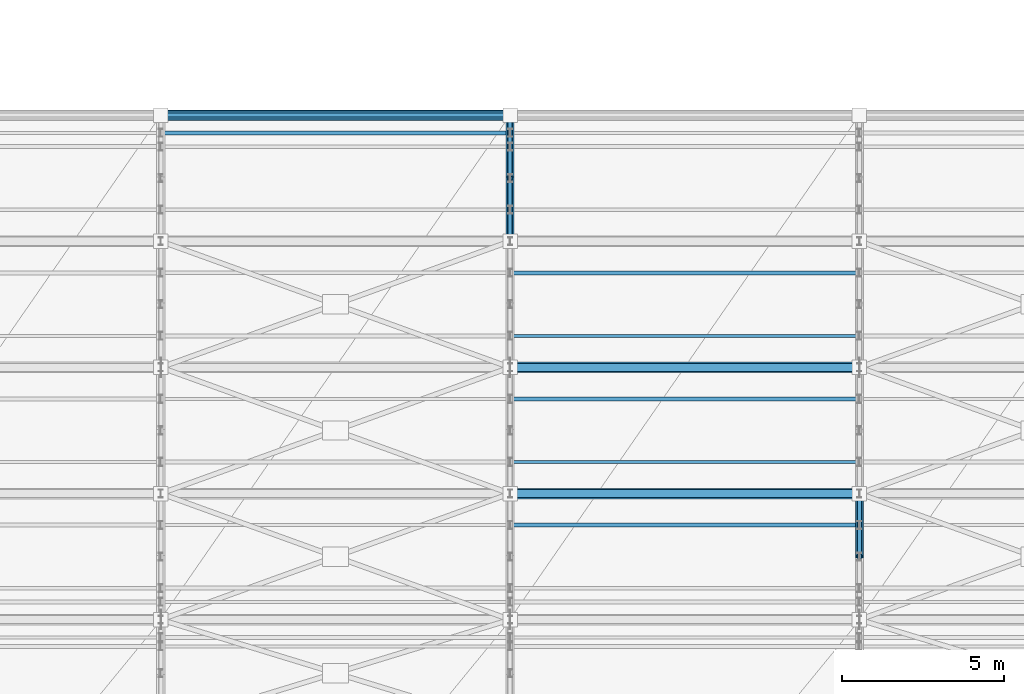
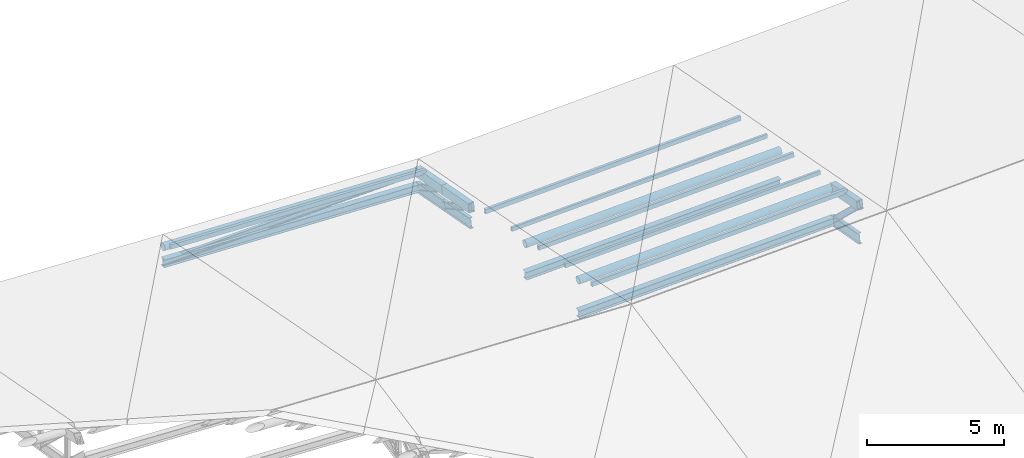
# One storey, part 23 of 89: 16 members, 6 beams.
"""IFC4 building model written with IfcOpenShell, lengths in metres."""

from ifc_helpers import new_model, si_unit, direction, frame, origin, origin_2d, place, context, subcontext, project, spatial, hollow_rectangle, hollow_circle, i_section, extrude, material, material_profile, profile_set, type_object, element, save


model = new_model("IFC4")

# Units and contexts
model_context = context("Model", 3, precision=1e-05, world=origin(), true_north=direction((0.0, 1.0)))
body_context = subcontext(model_context, "Body", "Model", "MODEL_VIEW")
ifc_project = project(units=[si_unit("LENGTHUNIT", "METRE"), si_unit("AREAUNIT", "SQUARE_METRE"), si_unit("VOLUMEUNIT", "CUBIC_METRE"), si_unit("PLANEANGLEUNIT", "RADIAN"), si_unit("MASSUNIT", "GRAM", prefix="KILO")], contexts=[model_context])

# Site, building, storey
site_placement = place(None, origin())
site = spatial("IfcSite", under=ifc_project, at=site_placement, CompositionType="ELEMENT")
building_placement = place(site_placement, origin())
building = spatial("IfcBuilding", under=site, at=building_placement, Name="Suirenkawa Promenade Aquatics Centre", CompositionType="ELEMENT")
storey_placement = place(building_placement, frame((0.0, 0.0, 9.60009765625)))
storey = spatial("IfcBuildingStorey", under=building, at=storey_placement, Name="L02", CompositionType="ELEMENT", Elevation=9.60009765625)

# Beams
ifc_material = material(Name="Steel IS 2062 E350 (Grade 350)", Category="steel")
ifc_material_profile_1 = material_profile(ifc_material, i_section(OverallWidth=0.14990234375, OverallDepth=0.449951171875, WebThickness=0.009033203125, FlangeThickness=0.01708984375, at=origin_2d()), Name="ISMB 450", Category="steel")
ifc_profile_set_1 = profile_set([ifc_material_profile_1], Name="Steel IS 2062 E350 (Grade 350)")
beam_type_1 = type_object("IfcBeamType", Name="BT-STL-ISMB450", PredefinedType="BEAM", material=ifc_profile_set_1)
beam_1_placement = place(storey_placement, frame((111.60009765625, 24.89990234375, -1.772216796875), z_axis=(0.0, 0.982575710299, -0.185862781455), x_axis=(-1.0, 0.0, 0.0)))
element("IfcBeam", 1, at=beam_1_placement, inside=storey, type_object=beam_type_1, Name="ROOF TRUSS V3 bottom chord BM-08 BM-2700", PredefinedType="BEAM", context=body_context, shape_type="SweptSolid", body=[
    extrude(i_section(OverallWidth=0.14990234375, OverallDepth=0.449951171875, WebThickness=0.009033203125, FlangeThickness=0.01708984375, at=origin_2d()), origin(), (0.0, 0.0, 1.0), 1.98486328125),
])
beam_2_placement = place(storey_placement, frame((111.60009765625, 26.85009765625, -2.14111328125), z_axis=(0.0, 0.982571460273, -0.185885248087), x_axis=(-1.0, 0.0, 0.0)))
element("IfcBeam", 2, at=beam_2_placement, inside=storey, type_object=beam_type_1, Name="ROOF TRUSS V3 bottom chord BM-08 BM-2702", PredefinedType="BEAM", context=body_context, shape_type="SweptSolid", body=[
    extrude(i_section(OverallWidth=0.14990234375, OverallDepth=0.449951171875, WebThickness=0.009033203125, FlangeThickness=0.01708984375, at=origin_2d()), origin(), (0.0, 0.0, 1.0), 1.984619140625),
])
beam_3_placement = place(storey_placement, frame((122.39990234375, 15.14990234375, -0.3271484375), z_axis=(0.0, 0.984093844307, -0.177649389521), x_axis=(-1.0, 0.0, 0.0)))
element("IfcBeam", 3, at=beam_3_placement, inside=storey, type_object=beam_type_1, Name="ROOF TRUSS V3 bottom chord BM-08 BM-2722", PredefinedType="BEAM", context=body_context, shape_type="SweptSolid", body=[
    extrude(i_section(OverallWidth=0.14990234375, OverallDepth=0.449951171875, WebThickness=0.009033203125, FlangeThickness=0.01708984375, at=origin_2d()), origin(), (0.0, 0.0, 1.0), 1.981689453125),
])
ifc_material_profile_2 = material_profile(ifc_material, hollow_rectangle(XDim=0.25, YDim=0.39990234375, WallThickness=0.01611328125, at=origin_2d()), Name="RHS 400x250x16", Category="steel")
ifc_profile_set_2 = profile_set([ifc_material_profile_2], Name="Steel IS 2062 E350 (Grade 350)")
beam_type_2 = type_object("IfcBeamType", Name="BT-TC-RHS400", PredefinedType="BEAM", material=ifc_profile_set_2)
beam_4_placement = place(storey_placement, frame((111.60009765625, 24.89990234375, -1.072021484375), z_axis=(0.0, 0.982553239671, -0.1859815346), x_axis=(-1.0, 0.0, 0.0)))
element("IfcBeam", 4, at=beam_4_placement, inside=storey, type_object=beam_type_2, Name="ROOF TRUSS V3 top chord TC-03 BM-2699", PredefinedType="BEAM", context=body_context, shape_type="SweptSolid", body=[
    extrude(hollow_rectangle(XDim=0.25, YDim=0.39990234375, WallThickness=0.01611328125, at=origin_2d()), origin(), (0.0, 0.0, 1.0), 1.98486328125),
])
beam_5_placement = place(storey_placement, frame((111.60009765625, 26.85009765625, -1.441162109375), z_axis=(0.0, 0.982571460273, -0.185885248087), x_axis=(-1.0, 0.0, 0.0)))
element("IfcBeam", 5, at=beam_5_placement, inside=storey, type_object=beam_type_2, Name="ROOF TRUSS V3 top chord TC-03 BM-2701", PredefinedType="BEAM", context=body_context, shape_type="SweptSolid", body=[
    extrude(hollow_rectangle(XDim=0.25, YDim=0.39990234375, WallThickness=0.01611328125, at=origin_2d()), origin(), (0.0, 0.0, 1.0), 1.984619140625),
])
beam_6_placement = place(storey_placement, frame((122.39990234375, 15.14990234375, 1.1708984375), z_axis=(0.0, 0.982575710299, -0.185862781455), x_axis=(-1.0, 0.0, 0.0)))
element("IfcBeam", 6, at=beam_6_placement, inside=storey, type_object=beam_type_2, Name="ROOF TRUSS V3 top chord TC-03 BM-2721", PredefinedType="BEAM", context=body_context, shape_type="SweptSolid", body=[
    extrude(hollow_rectangle(XDim=0.25, YDim=0.39990234375, WallThickness=0.01611328125, at=origin_2d()), origin(), (0.0, 0.0, 1.0), 1.98486328125),
])

# Members
ifc_material_profile_3 = material_profile(ifc_material, hollow_circle(Radius=0.162109375, WallThickness=0.013916015625, at=origin_2d()), Name="CHS 324x14", Category="steel")
ifc_profile_set_3 = profile_set([ifc_material_profile_3], Name="Steel IS 2062 E350 (Grade 350)")
member_type_1 = type_object("IfcMemberType", Name="MT-CHORD-CHS324", PredefinedType="CHORD", material=ifc_profile_set_3)
member_1_placement = place(storey_placement, frame((100.800048828125, 28.800048828125, -1.41015625), z_axis=(0.999315174122, 0.0, -0.03700246977), x_axis=(0.0, 1.0, 0.0)))
element("IfcMember", 7, at=member_1_placement, inside=storey, type_object=member_type_1, Name="ROOF TRUSS V3 eave top chord CH-01 MB-1520", PredefinedType="CHORD", context=body_context, shape_type="SweptSolid", body=[
    extrude(hollow_circle(Radius=0.162109375, WallThickness=0.013916015625, at=origin_2d()), origin(), (0.0, 0.0, 1.0), 10.807373046875),
])
for number, where, z_axis, x_axis, name in (
    (8, (111.60009765625, 17.10009765625, 0.40283203125), (0.999317646962, 0.0, 0.036935626024), (0.0, 1.0, 0.0), "ROOF TRUSS V3 tie chord CH-01 MB-1597"),
    (9, (111.60009765625, 21.0, -0.335205078125), (0.999314307585, 0.0, 0.037025864683), (0.0, 1.0, 0.0), "ROOF TRUSS V3 tie chord CH-01 MB-1611"),
):
    element("IfcMember", number, at=place(storey_placement, frame(where, z_axis=z_axis, x_axis=x_axis)), inside=storey, type_object=member_type_1, Name=name, PredefinedType="CHORD", context=body_context, shape_type="SweptSolid", body=[
        extrude(hollow_circle(Radius=0.162109375, WallThickness=0.013916015625, at=origin_2d()), origin(), (0.0, 0.0, 1.0), 10.80712890625),
    ])
ifc_material_profile_4 = material_profile(ifc_material, i_section(OverallWidth=0.25, OverallDepth=0.35009765625, WebThickness=0.010009765625, FlangeThickness=0.011962890625, at=origin_2d()), Name="ISHB 350", Category="steel")
ifc_profile_set_4 = profile_set([ifc_material_profile_4], Name="Steel IS 2062 E350 (Grade 350)")
member_type_2 = type_object("IfcMemberType", Name="MT-CHORD-ISHB350", PredefinedType="CHORD", material=ifc_profile_set_4)
member_2_placement = place(storey_placement, frame((100.800048828125, 28.800048828125, -2.110107421875), z_axis=(0.999315174122, 0.0, -0.03700246977), x_axis=(0.0, 1.0, 0.0)))
element("IfcMember", 10, at=member_2_placement, inside=storey, type_object=member_type_2, Name="ROOF TRUSS V3 eave bottom chord CH-04 MB-1521", PredefinedType="CHORD", context=body_context, shape_type="SweptSolid", body=[
    extrude(i_section(OverallWidth=0.25, OverallDepth=0.35009765625, WebThickness=0.010009765625, FlangeThickness=0.011962890625, at=origin_2d()), origin(), (0.0, 0.0, 1.0), 10.807373046875),
])
for number, where, z_axis, x_axis, name in (
    (11, (111.60009765625, 17.10009765625, -1.078125), (0.999318480537, 0.0, 0.036913066217), (0.0, 1.0, 0.0), "ROOF TRUSS V3 bottom tie CH-04 MB-1598"),
    (12, (111.60009765625, 21.0, -1.72314453125), (0.999314307585, 0.0, 0.037025864683), (0.0, 1.0, 0.0), "ROOF TRUSS V3 bottom tie CH-04 MB-1612"),
):
    element("IfcMember", number, at=place(storey_placement, frame(where, z_axis=z_axis, x_axis=x_axis)), inside=storey, type_object=member_type_2, Name=name, PredefinedType="CHORD", context=body_context, shape_type="SweptSolid", body=[
        extrude(i_section(OverallWidth=0.25, OverallDepth=0.35009765625, WebThickness=0.010009765625, FlangeThickness=0.011962890625, at=origin_2d()), origin(), (0.0, 0.0, 1.0), 10.80712890625),
    ])
ifc_material_profile_5 = material_profile(ifc_material, hollow_rectangle(XDim=0.10009765625, YDim=0.179931640625, WallThickness=0.008056640625, at=origin_2d()), Name="RHS 180x100x8", Category="steel")
ifc_profile_set_5 = profile_set([ifc_material_profile_5], Name="Steel IS 2062 E350 (Grade 350)")
member_type_3 = type_object("IfcMemberType", Name="MT-PURLIN-RHS180", PredefinedType="PURLIN", material=ifc_profile_set_5)
for number, where, z_axis, x_axis, name in (
    (13, (111.60009765625, 18.074951171875, 0.470947265625), (0.999315143191, 0.0, 0.037003305103), (0.0, 1.0, 0.0), "ROOF TRUSS Roof purlin PU-01 MB-2771"),
    (14, (111.60009765625, 21.97509765625, -0.26611328125), (0.999315143191, 0.0, 0.037003305103), (0.0, 1.0, 0.0), "ROOF TRUSS Roof purlin PU-01 MB-2775"),
):
    element("IfcMember", number, at=place(storey_placement, frame(where, z_axis=z_axis, x_axis=x_axis)), inside=storey, type_object=member_type_3, Name=name, PredefinedType="PURLIN", context=body_context, shape_type="SweptSolid", body=[
        extrude(hollow_rectangle(XDim=0.10009765625, YDim=0.179931640625, WallThickness=0.008056640625, at=origin_2d()), origin(), (0.0, 0.0, 1.0), 10.80712890625),
    ])
ifc_material_profile_6 = material_profile(ifc_material, hollow_rectangle(XDim=0.1201171875, YDim=0.199951171875, WallThickness=0.008056640625, at=origin_2d()), Name="RHS 200x120x8", Category="steel")
ifc_profile_set_6 = profile_set([ifc_material_profile_6], Name="Steel IS 2062 E350 (Grade 350)")
member_type_4 = type_object("IfcMemberType", Name="MT-PURLIN-RHS200", PredefinedType="PURLIN", material=ifc_profile_set_6)
member_3_placement = place(storey_placement, frame((100.800048828125, 28.25, -1.065185546875), z_axis=(0.999315174122, 0.0, -0.03700246977), x_axis=(0.0, 1.0, 0.0)))
element("IfcMember", 15, at=member_3_placement, inside=storey, type_object=member_type_4, Name="ROOF TRUSS Roof purlin PU-02 MB-2743", PredefinedType="PURLIN", context=body_context, shape_type="SweptSolid", body=[
    extrude(hollow_rectangle(XDim=0.1201171875, YDim=0.199951171875, WallThickness=0.008056640625, at=origin_2d()), origin(), (0.0, 0.0, 1.0), 10.807373046875),
])
for number, where, z_axis, x_axis, name in (
    (16, (111.60009765625, 16.125, 0.827880859375), (0.999315143191, 0.0, 0.037003305103), (0.0, 1.0, 0.0), "ROOF TRUSS Roof purlin PU-02 MB-2769"),
    (17, (111.60009765625, 20.02490234375, 0.0908203125), (0.999314307585, 0.0, 0.037025864683), (0.0, 1.0, 0.0), "ROOF TRUSS Roof purlin PU-02 MB-2773"),
    (18, (111.60009765625, 23.925048828125, -0.647216796875), (0.999314307585, 0.0, 0.037025864683), (0.0, 1.0, 0.0), "ROOF TRUSS Roof purlin PU-02 MB-2777"),
):
    element("IfcMember", number, at=place(storey_placement, frame(where, z_axis=z_axis, x_axis=x_axis)), inside=storey, type_object=member_type_4, Name=name, PredefinedType="PURLIN", context=body_context, shape_type="SweptSolid", body=[
        extrude(hollow_rectangle(XDim=0.1201171875, YDim=0.199951171875, WallThickness=0.008056640625, at=origin_2d()), origin(), (0.0, 0.0, 1.0), 10.80712890625),
    ])
ifc_material_profile_7 = material_profile(ifc_material, i_section(OverallWidth=0.125, OverallDepth=0.25, WebThickness=0.007080078125, FlangeThickness=0.012939453125, at=origin_2d()), Name="ISMB 250", Category="steel")
ifc_profile_set_7 = profile_set([ifc_material_profile_7], Name="Steel IS 2062 E350 (Grade 350)")
member_type_5 = type_object("IfcMemberType", Name="MT-WEB-CHS168", PredefinedType="BRACE", material=ifc_profile_set_7)
member_4_placement = place(storey_placement, frame((111.60009765625, 24.89990234375, -1.072021484375), z_axis=(0.0, 0.876882567505, -0.480704652366), x_axis=(-1.0, 0.0, 0.0)))
element("IfcMember", 19, at=member_4_placement, inside=storey, type_object=member_type_5, Name="ROOF TRUSS V3 web diagonal TD-03 MB-1383", PredefinedType="BRACE", context=body_context, shape_type="SweptSolid", body=[
    extrude(i_section(OverallWidth=0.125, OverallDepth=0.25, WebThickness=0.007080078125, FlangeThickness=0.012939453125, at=origin_2d()), origin(), (0.0, 0.0, 1.0), 2.22412109375),
])
member_5_placement = place(storey_placement, frame((111.60009765625, 26.85009765625, -1.441162109375), z_axis=(0.0, 0.87690347584, -0.480666510233), x_axis=(-1.0, 0.0, 0.0)))
element("IfcMember", 20, at=member_5_placement, inside=storey, type_object=member_type_5, Name="ROOF TRUSS V3 web diagonal TD-03 MB-1384", PredefinedType="BRACE", context=body_context, shape_type="SweptSolid", body=[
    extrude(i_section(OverallWidth=0.125, OverallDepth=0.25, WebThickness=0.007080078125, FlangeThickness=0.012939453125, at=origin_2d()), origin(), (0.0, 0.0, 1.0), 2.2236328125),
])
member_6_placement = place(storey_placement, frame((122.39990234375, 15.14990234375, 1.1708984375), z_axis=(0.0, 0.72547997699, -0.688243273114), x_axis=(-1.0, 0.0, 0.0)))
element("IfcMember", 21, at=member_6_placement, inside=storey, type_object=member_type_5, Name="ROOF TRUSS V3 web diagonal TD-03 MB-1409", PredefinedType="BRACE", context=body_context, shape_type="SweptSolid", body=[
    extrude(i_section(OverallWidth=0.125, OverallDepth=0.25, WebThickness=0.007080078125, FlangeThickness=0.012939453125, at=origin_2d()), origin(), (0.0, 0.0, 1.0), 2.688232421875),
])
member_7_placement = place(storey_placement, frame((100.800048828125, 28.800048828125, -2.110107421875), z_axis=(0.999614298687, 0.0, 0.027771457673), x_axis=(0.0, 1.0, 0.0)))
element("IfcMember", 22, at=member_7_placement, inside=storey, type_object=member_type_5, Name="ROOF TRUSS V3 eave web diagonal TD-03 MB-1522", PredefinedType="BRACE", context=body_context, shape_type="SweptSolid", body=[
    extrude(i_section(OverallWidth=0.125, OverallDepth=0.25, WebThickness=0.007080078125, FlangeThickness=0.012939453125, at=origin_2d()), origin(), (0.0, 0.0, 1.0), 10.80419921875),
])

save(model, "model.ifc")
